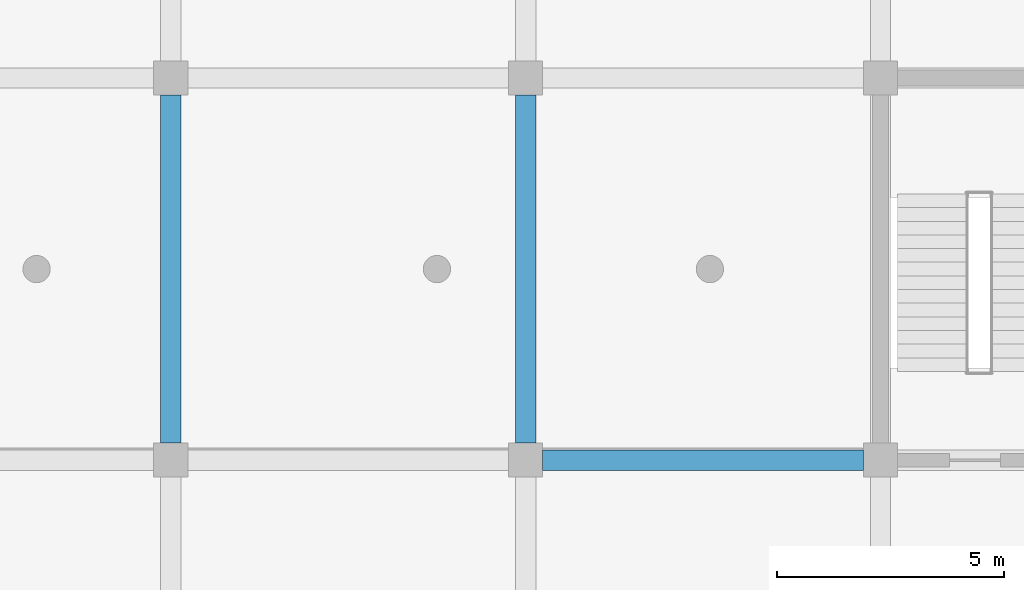
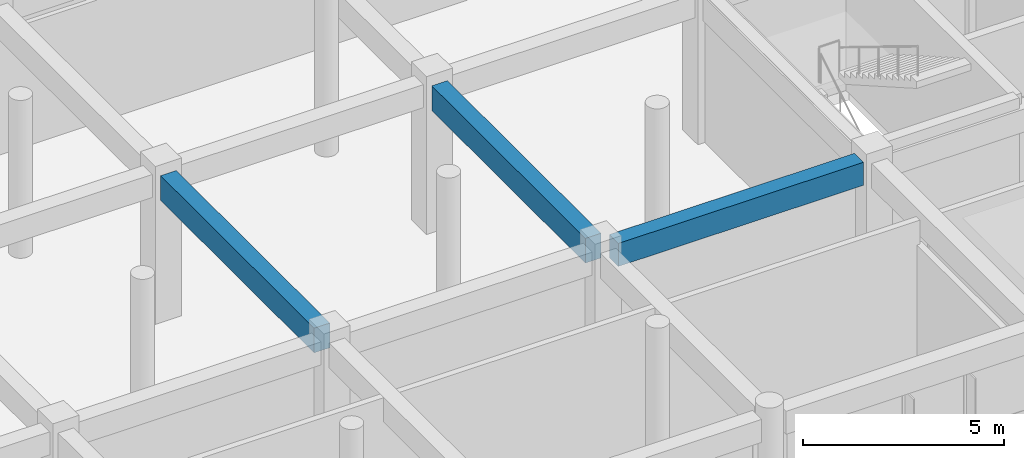
# One storey, part 12 of 167: 3 beams.
"""IFC4 building model written with IfcOpenShell, lengths in metres."""

from ifc_helpers import new_model, si_unit, direction, frame, origin, origin_2d, place, context, subcontext, project, spatial, rectangle, extrude, material, material_profile, profile_set, type_object, element, save


model = new_model("IFC4")

# Units and contexts
model_context = context("Model", 3, precision=1e-05, world=origin(), true_north=direction((0.0, 1.0)))
body_context = subcontext(model_context, "Body", "Model", "MODEL_VIEW")
ifc_project = project(units=[si_unit("LENGTHUNIT", "METRE"), si_unit("AREAUNIT", "SQUARE_METRE"), si_unit("VOLUMEUNIT", "CUBIC_METRE"), si_unit("PLANEANGLEUNIT", "RADIAN"), si_unit("MASSUNIT", "GRAM", prefix="KILO")], contexts=[model_context])

# Site, building, storey
site_placement = place(None, origin())
site = spatial("IfcSite", under=ifc_project, at=site_placement, CompositionType="ELEMENT")
building_placement = place(site_placement, origin())
building = spatial("IfcBuilding", under=site, at=building_placement, Name="Zizhar Promenade General Hospital", CompositionType="ELEMENT")
storey_placement = place(building_placement, frame((0.0, 0.0, 9.60009765625)))
storey = spatial("IfcBuildingStorey", under=building, at=storey_placement, Name="L02", CompositionType="ELEMENT", Elevation=9.60009765625)

# Beams
ifc_material_1 = material(Name="Concrete C35/45", Category="concrete")
ifc_material_profile_1 = material_profile(ifc_material_1, rectangle(XDim=0.449951171875, YDim=0.699951171875, at=origin_2d()))
ifc_profile_set_1 = profile_set([ifc_material_profile_1], Name="Concrete C35/45")
beam_type_1 = type_object("IfcBeamType", Name="BM-RC-450x700", PredefinedType="BEAM", material=ifc_profile_set_1)
beam_placement = place(storey_placement, frame((39.375, 8.39990234375, 4.119873046875), z_axis=(1.0, 0.0, 0.0), x_axis=(0.0, 1.0, 0.0)))
element("IfcBeam", 1, at=beam_placement, inside=storey, type_object=beam_type_1, Name="Grid Beam X L02 (5-1)", PredefinedType="BEAM", context=body_context, shape_type="SweptSolid", body=[
    extrude(rectangle(XDim=0.449951171875, YDim=0.699951171875, at=origin_2d()), origin(), (0.0, 0.0, 1.0), 7.050048828125),
])
ifc_material_2 = material(Name="Concrete C35/45", Category="concrete")
ifc_material_profile_2 = material_profile(ifc_material_2, rectangle(XDim=0.449951171875, YDim=0.75, at=origin_2d()))
ifc_profile_set_2 = profile_set([ifc_material_profile_2], Name="Concrete C35/45")
beam_type_2 = type_object("IfcBeamType", Name="BM-RC-450x750", PredefinedType="BEAM", material=ifc_profile_set_2)
for number, where, z_axis, x_axis, name in (
    (2, (31.199951171875, 8.77490234375, 4.094970703125), (0.0, 1.0, 0.0), (-1.0, 0.0, 0.0), "Grid Beam Y L02 (4-1)"),
    (3, (39.0, 8.77490234375, 4.094970703125), (0.0, 1.0, 0.0), (-1.0, 0.0, 0.0), "Grid Beam Y L02 (5-1)"),
):
    element("IfcBeam", number, at=place(storey_placement, frame(where, z_axis=z_axis, x_axis=x_axis)), inside=storey, type_object=beam_type_2, Name=name, PredefinedType="BEAM", context=body_context, shape_type="SweptSolid", body=[
        extrude(rectangle(XDim=0.449951171875, YDim=0.75, at=origin_2d()), origin(), (0.0, 0.0, 1.0), 7.650146484375),
    ])

save(model, "model.ifc")
